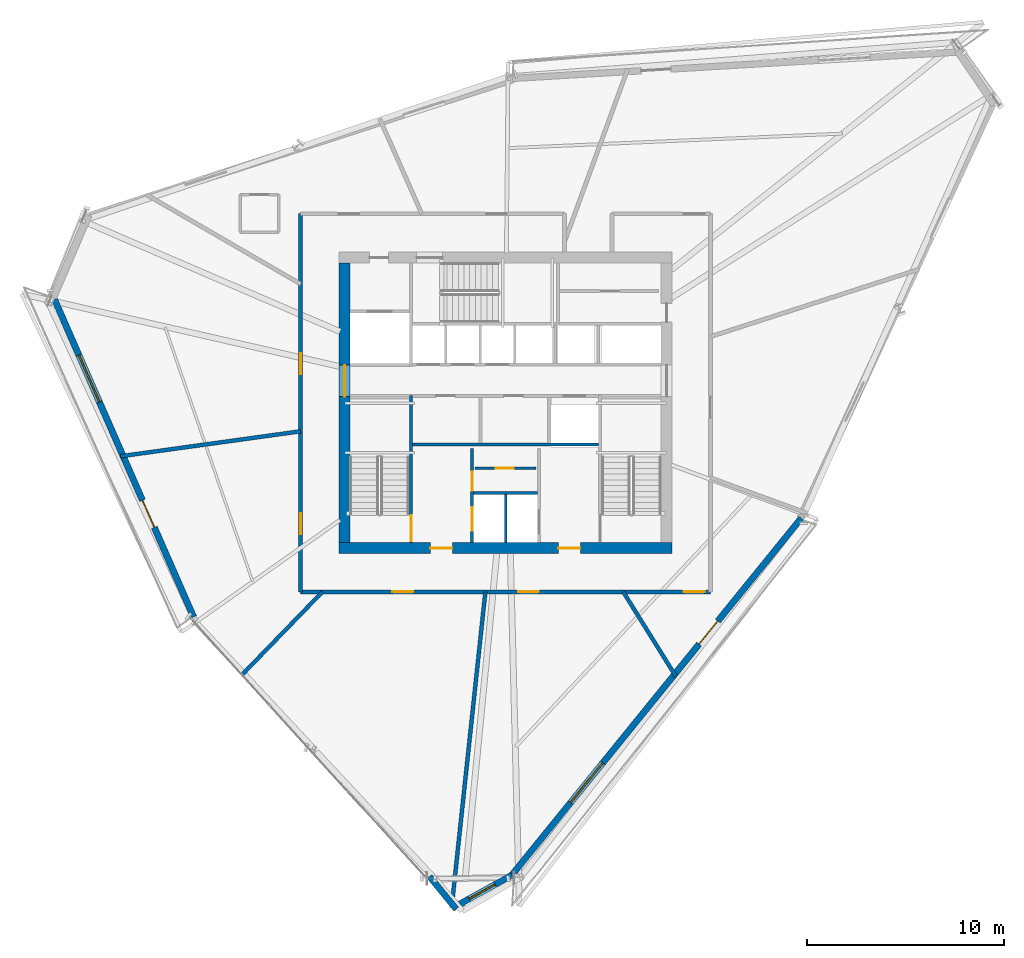
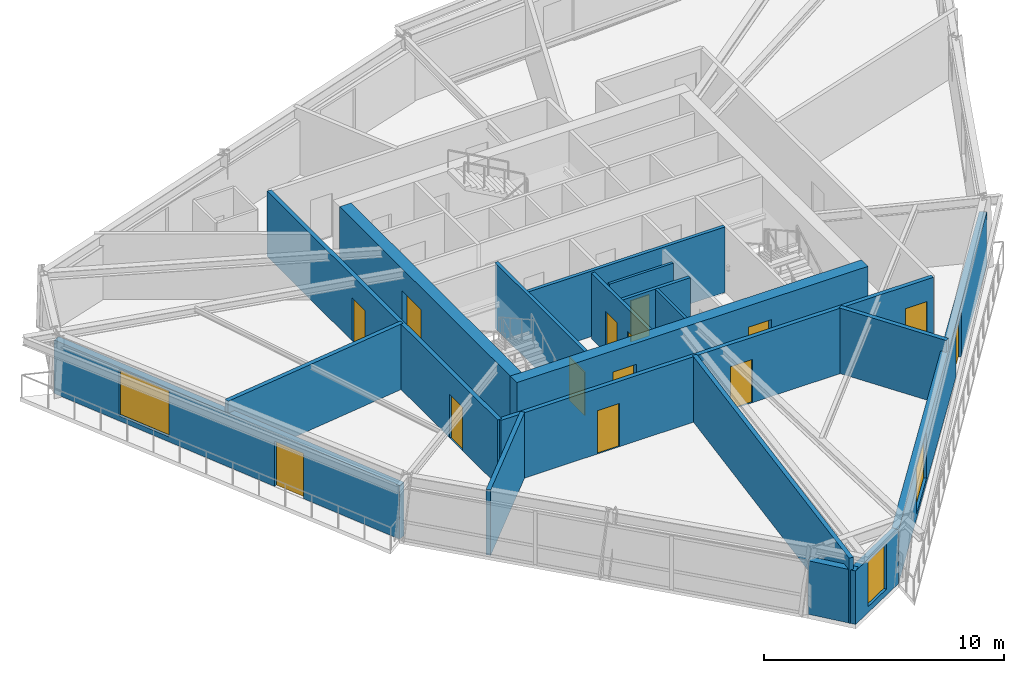
# One storey, part 8 of 13: 18 walls, 14 doors, 3 windows, 17 openings.
"""IFC4 building model written with IfcOpenShell, lengths in metres."""

from ifc_helpers import new_model, si_unit, direction, frame, frame_2d, origin, place, context, subcontext, project, spatial, rectangle, extrude, source, transform, mapped, material, layer, layer_set, type_object, type_shapes, element, fill, save


model = new_model("IFC4")

# Units and contexts
model_context = context("Model", 3, precision=1e-05, world=origin(), true_north=direction((0.0, 1.0)))
body_context = subcontext(model_context, "Body", "Model", "MODEL_VIEW")
ifc_project = project(units=[si_unit("LENGTHUNIT", "METRE"), si_unit("AREAUNIT", "SQUARE_METRE"), si_unit("VOLUMEUNIT", "CUBIC_METRE"), si_unit("PLANEANGLEUNIT", "RADIAN"), si_unit("MASSUNIT", "GRAM", prefix="KILO")], contexts=[model_context])

# Site, building, storey
site_placement = place(None, origin())
site = spatial("IfcSite", under=ifc_project, at=site_placement, CompositionType="ELEMENT")
building_placement = place(site_placement, origin())
building = spatial("IfcBuilding", under=site, at=building_placement, Name="Olszyna Solenne Hotel", CompositionType="ELEMENT")
storey_placement = place(building_placement, frame((0.0, 0.0, 175.0)))
storey = spatial("IfcBuildingStorey", under=building, at=storey_placement, Name="L46", CompositionType="ELEMENT", Elevation=175.0)

# Wall, openings, doors
ifc_material_1 = material(Name="Concrete C50/60", Category="concrete")
ifc_layer_1 = layer(ifc_material_1, 0.550048828125, Name="Concrete C50/60")
ifc_layer_set_1 = layer_set([ifc_layer_1], Name="Concrete C50/60")
wall_type_1 = type_object("IfcWallType", Name="WL-CR550", PredefinedType="SHEAR", material=ifc_layer_set_1)
wall_1_placement = place(storey_placement, frame((46.449951171875, 19.22509765625, 0.0), z_axis=(0.0, 0.0, 1.0), x_axis=(-1.0, 0.0, 0.0)))
wall_1 = element("IfcWall", 1, at=wall_1_placement, inside=storey, type_object=wall_type_1, Name="Core shear wall WL-CR550 CRW-L46-S", PredefinedType="SHEAR", context=body_context, shape_type="SweptSolid", body=[
    extrude(rectangle(XDim=16.89990234375, YDim=0.550048828125, at=frame_2d((8.449951171875, 0.0))), origin(), (0.0, 0.0, 1.0), 3.330078125),
])
opening_1_placement = place(wall_1_placement, frame((4.64990234375, 0.0, 0.0)))
opening_1 = element("IfcOpeningElement", 2, at=opening_1_placement, cuts=wall_1, Name="Opening FL-L46-1", PredefinedType="OPENING", context=body_context, shape_type="SweptSolid", body=[
    extrude(rectangle(XDim=1.1201171875, YDim=2.25, at=frame_2d((0.56005859375, 1.125))), frame((0.0, 0.28515625, 0.0), z_axis=(0.0, -1.0, 0.0), x_axis=(1.0, 0.0, 0.0)), (0.0, 0.0, 1.0), 0.570068359375),
])
opening_2_placement = place(wall_1_placement, frame((11.14990234375, 0.0, 0.0)))
opening_2 = element("IfcOpeningElement", 3, at=opening_2_placement, cuts=wall_1, Name="Opening FL-L46-2", PredefinedType="OPENING", context=body_context, shape_type="SweptSolid", body=[
    extrude(rectangle(XDim=1.1201171875, YDim=2.25, at=frame_2d((0.56005859375, 1.125))), frame((0.0, 0.28515625, 0.0), z_axis=(0.0, -1.0, 0.0), x_axis=(1.0, 0.0, 0.0)), (0.0, 0.0, 1.0), 0.570068359375),
])
ifc_material_2 = material(Name="Steel S355J2", Category="steel")
door_type_1 = type_object("IfcDoorType", Name="DR-FL1", OperationType="NOTDEFINED", PredefinedType="DOOR", material=ifc_material_2)
shared_shape_1 = source(origin(), body_context, "Body", "SweptSolid", [
    extrude(rectangle(XDim=1.1201171875, YDim=2.25, at=frame_2d((0.56005859375, 1.125))), frame((0.0, 0.02490234375, 0.0), z_axis=(0.0, -1.0, 0.0), x_axis=(1.0, 0.0, 0.0)), (0.0, 0.0, 1.0), 0.050048828125),
])
type_shapes(door_type_1, [shared_shape_1])
door_1_placement = place(opening_1_placement, origin())
door_1 = element("IfcDoor", 4, at=door_1_placement, inside=storey, type_object=door_type_1, Name="Firefighting lift lobby smoke door FL-L46-1", OperationType="SINGLE_SWING_LEFT", OverallHeight=2.25, OverallWidth=1.1201171875, PredefinedType="DOOR", context=body_context, shape_type="MappedRepresentation", body=[
    mapped(shared_shape_1, transform((0.0, 0.0, 0.0), x_axis=(1.0, 0.0, 0.0), y_axis=(0.0, 1.0, 0.0), z_axis=(0.0, 0.0, 1.0), scale=1.0)),
])
fill(opening_1, door_1)
door_2_placement = place(opening_2_placement, origin())
door_2 = element("IfcDoor", 5, at=door_2_placement, inside=storey, type_object=door_type_1, Name="Firefighting lift lobby smoke door FL-L46-2", OperationType="SINGLE_SWING_RIGHT", OverallHeight=2.25, OverallWidth=1.1201171875, PredefinedType="DOOR", context=body_context, shape_type="MappedRepresentation", body=[
    mapped(shared_shape_1, transform((0.0, 0.0, 0.0), x_axis=(1.0, 0.0, 0.0), y_axis=(0.0, 1.0, 0.0), z_axis=(0.0, 0.0, 1.0), scale=1.0)),
])
fill(opening_2, door_2)

# Wall, opening, door
wall_2_placement = place(storey_placement, frame((29.824951171875, 19.5, 0.0), z_axis=(0.0, 0.0, 1.0), x_axis=(0.0, 1.0, 0.0)))
wall_2 = element("IfcWall", 6, at=wall_2_placement, inside=storey, type_object=wall_type_1, Name="Core shear wall WL-CR550 CRW-L46-W", PredefinedType="SHEAR", context=body_context, shape_type="SweptSolid", body=[
    extrude(rectangle(XDim=14.199951171875, YDim=0.550048828125, at=frame_2d((7.10009765625, 0.0))), origin(), (0.0, 0.0, 1.0), 3.330078125),
])
opening_3_placement = place(wall_2_placement, frame((7.419921875, 0.0, 0.0)))
opening_3 = element("IfcOpeningElement", 7, at=opening_3_placement, cuts=wall_2, Name="Opening LHD-L46-W", PredefinedType="OPENING", context=body_context, shape_type="SweptSolid", body=[
    extrude(rectangle(XDim=1.60009765625, YDim=2.199951171875, at=frame_2d((0.800048828125, 1.10009765625))), frame((0.0, 0.28515625, 0.0), z_axis=(0.0, -1.0, 0.0), x_axis=(1.0, 0.0, 0.0)), (0.0, 0.0, 1.0), 0.570068359375),
])
ifc_material_3 = material(Name="Timber hardwood", Category="wood")
door_type_2 = type_object("IfcDoorType", Name="DR-CR1", OperationType="DOUBLE_DOOR_SINGLE_SWING", PredefinedType="DOOR", material=ifc_material_3)
shared_shape_2 = source(origin(), body_context, "Body", "SweptSolid", [
    extrude(rectangle(XDim=1.60009765625, YDim=2.199951171875, at=frame_2d((0.800048828125, 1.10009765625))), frame((0.0, 0.02490234375, 0.0), z_axis=(0.0, -1.0, 0.0), x_axis=(1.0, 0.0, 0.0)), (0.0, 0.0, 1.0), 0.050048828125),
])
type_shapes(door_type_2, [shared_shape_2])
door_3_placement = place(opening_3_placement, origin())
door_3 = element("IfcDoor", 8, at=door_3_placement, inside=storey, type_object=door_type_2, Name="Passenger lift lobby West fire door LHD-L46-W", OperationType="DOUBLE_DOOR_SINGLE_SWING", OverallHeight=2.199951171875, OverallWidth=1.60009765625, PredefinedType="DOOR", context=body_context, shape_type="MappedRepresentation", body=[
    mapped(shared_shape_2, transform((0.0, 0.0, 0.0), x_axis=(1.0, 0.0, 0.0), y_axis=(0.0, 1.0, 0.0), z_axis=(0.0, 0.0, 1.0), scale=1.0)),
])
fill(opening_3, door_3)

# Wall, openings, door, window
ifc_material_4 = material(Name="Precast concrete C45/55", Category="concrete")
ifc_layer_2 = layer(ifc_material_4, 0.320068359375, Name="Precast concrete C45/55")
ifc_layer_set_2 = layer_set([ifc_layer_2], Name="Precast concrete C45/55")
wall_type_2 = type_object("IfcWallType", Name="WL-EX320", PredefinedType="SOLIDWALL", material=ifc_layer_set_2)
wall_3_placement = place(storey_placement, frame((53.010498046875, 20.74755859375, 0.0), z_axis=(0.0, 0.0, 1.0), x_axis=(-0.629806386055, -0.776752158725, 0.0)))
wall_3 = element("IfcWall", 9, at=wall_3_placement, inside=storey, type_object=wall_type_2, Name="Exterior terracotta-precast frame wall WL-EX320 EW-L46-01", PredefinedType="SOLIDWALL", context=body_context, shape_type="SweptSolid", body=[
    extrude(rectangle(XDim=23.3779296875, YDim=0.320068359375, at=frame_2d((11.68896484375, 0.0))), origin(), (0.0, 0.0, 1.0), 2.721923828125),
])
opening_4_placement = place(wall_3_placement, frame((6.73095703125, 0.0, 0.0)))
opening_4 = element("IfcOpeningElement", 10, at=opening_4_placement, cuts=wall_3, Name="Opening LDG-L46-3", PredefinedType="OPENING", context=body_context, shape_type="SweptSolid", body=[
    extrude(rectangle(XDim=1.5, YDim=2.300048828125, at=frame_2d((0.75, 1.14990234375))), frame((0.0, 0.169921875, 0.0), z_axis=(0.0, -1.0, 0.0), x_axis=(1.0, 0.0, 0.0)), (0.0, 0.0, 1.0), 0.340087890625),
])
opening_5_placement = place(wall_3_placement, frame((16.0, 0.0, 0.251953125)))
opening_5 = element("IfcOpeningElement", 11, at=opening_5_placement, cuts=wall_3, Name="Opening WN-L46-285", PredefinedType="OPENING", context=body_context, shape_type="SweptSolid", body=[
    extrude(rectangle(XDim=2.60009765625, YDim=2.35009765625, at=frame_2d((1.300048828125, 1.175048828125))), frame((0.0, 0.169921875, 0.0), z_axis=(0.0, -1.0, 0.0), x_axis=(1.0, 0.0, 0.0)), (0.0, 0.0, 1.0), 0.340087890625),
])
ifc_material_5 = material(Name="Anodised bronze aluminium", Category="aluminium")
door_type_3 = type_object("IfcDoorType", Name="DR-LG2", OperationType="DOUBLE_DOOR_SINGLE_SWING", PredefinedType="DOOR", material=ifc_material_5)
shared_shape_3 = source(origin(), body_context, "Body", "SweptSolid", [
    extrude(rectangle(XDim=1.5, YDim=2.300048828125, at=frame_2d((0.75, 1.14990234375))), frame((0.0, 0.02490234375, 0.0), z_axis=(0.0, -1.0, 0.0), x_axis=(1.0, 0.0, 0.0)), (0.0, 0.0, 1.0), 0.050048828125),
])
type_shapes(door_type_3, [shared_shape_3])
door_4_placement = place(opening_4_placement, origin())
door_4 = element("IfcDoor", 12, at=door_4_placement, inside=storey, type_object=door_type_3, Name="Exterior loggia balcony door DR-LG2 LDG-L46-3", OperationType="DOUBLE_DOOR_SINGLE_SWING", OverallHeight=2.300048828125, OverallWidth=1.5, PredefinedType="DOOR", context=body_context, shape_type="MappedRepresentation", body=[
    mapped(shared_shape_3, transform((0.0, 0.0, 0.0), x_axis=(1.0, 0.0, 0.0), y_axis=(0.0, 1.0, 0.0), z_axis=(0.0, 0.0, 1.0), scale=1.0)),
])
fill(opening_4, door_4)
ifc_material_6 = material(Name="Low-E triple glazing", Category="glass")
window_type_1 = type_object("IfcWindowType", Name="WN-ST1", PartitioningType="SINGLE_PANEL", PredefinedType="WINDOW", material=ifc_material_6)
shared_shape_4 = source(origin(), body_context, "Body", "SweptSolid", [
    extrude(rectangle(XDim=2.60009765625, YDim=2.35009765625, at=frame_2d((1.300048828125, 1.175048828125))), frame((0.0, 0.030029296875, 0.0), z_axis=(0.0, -1.0, 0.0), x_axis=(1.0, 0.0, 0.0)), (0.0, 0.0, 1.0), 0.06005859375),
])
type_shapes(window_type_1, [shared_shape_4])
window_1_placement = place(opening_5_placement, origin())
window_1 = element("IfcWindow", 13, at=window_1_placement, inside=storey, type_object=window_type_1, Name="Loggia room window WN-ST1 WN-L46-285", OverallHeight=2.35009765625, OverallWidth=2.60009765625, PartitioningType="SINGLE_PANEL", PredefinedType="WINDOW", context=body_context, shape_type="MappedRepresentation", body=[
    mapped(shared_shape_4, transform((0.0, 0.0, 0.0), x_axis=(1.0, 0.0, 0.0), y_axis=(0.0, 1.0, 0.0), z_axis=(0.0, 0.0, 1.0), scale=1.0)),
])
fill(opening_5, window_1)

# Wall, opening, window
wall_4_placement = place(storey_placement, frame((38.33349609375, 2.627685546875, 0.0), z_axis=(0.0, 0.0, 1.0), x_axis=(-0.874431894113, -0.485148289246, 0.0)))
wall_4 = element("IfcWall", 14, at=wall_4_placement, inside=storey, type_object=wall_type_2, Name="Exterior terracotta-precast frame wall WL-EX320 EW-L46-02", PredefinedType="SOLIDWALL", context=body_context, shape_type="SweptSolid", body=[
    extrude(rectangle(XDim=3.478759765625, YDim=0.320068359375, at=frame_2d((1.7392578125, 0.0))), origin(), (0.0, 0.0, 1.0), 2.721923828125),
])
opening_6_placement = place(wall_4_placement, frame((0.989013671875, 0.0, 0.302001953125)))
opening_6 = element("IfcOpeningElement", 15, at=opening_6_placement, cuts=wall_4, Name="Opening WN-L46-286", PredefinedType="OPENING", context=body_context, shape_type="SweptSolid", body=[
    extrude(rectangle(XDim=1.5, YDim=2.300048828125, at=frame_2d((0.75, 1.14990234375))), frame((0.0, 0.169921875, 0.0), z_axis=(0.0, -1.0, 0.0), x_axis=(1.0, 0.0, 0.0)), (0.0, 0.0, 1.0), 0.340087890625),
])
window_type_2 = type_object("IfcWindowType", Name="WN-CH1", PartitioningType="SINGLE_PANEL", PredefinedType="WINDOW", material=ifc_material_6)
shared_shape_5 = source(origin(), body_context, "Body", "SweptSolid", [
    extrude(rectangle(XDim=1.5, YDim=2.300048828125, at=frame_2d((0.75, 1.14990234375))), frame((0.0, 0.030029296875, 0.0), z_axis=(0.0, -1.0, 0.0), x_axis=(1.0, 0.0, 0.0)), (0.0, 0.0, 1.0), 0.06005859375),
])
type_shapes(window_type_2, [shared_shape_5])
window_2_placement = place(opening_6_placement, origin())
window_2 = element("IfcWindow", 16, at=window_2_placement, inside=storey, type_object=window_type_2, Name="Exterior facade window WN-CH1 WN-L46-286", OverallHeight=2.300048828125, OverallWidth=1.5, PartitioningType="SINGLE_PANEL", PredefinedType="WINDOW", context=body_context, shape_type="MappedRepresentation", body=[
    mapped(shared_shape_5, transform((0.0, 0.0, 0.0), x_axis=(1.0, 0.0, 0.0), y_axis=(0.0, 1.0, 0.0), z_axis=(0.0, 0.0, 1.0), scale=1.0)),
])
fill(opening_6, window_2)

# Wall
wall_5_placement = place(storey_placement, frame((35.492919921875, 0.9013671875, 0.0), z_axis=(0.0, 0.0, 1.0), x_axis=(-0.633742690668, 0.773543923785, 0.0)))
element("IfcWall", 17, at=wall_5_placement, inside=storey, type_object=wall_type_2, Name="Exterior terracotta-precast frame wall WL-EX320 EW-L46-03", PredefinedType="SOLIDWALL", context=body_context, shape_type="SweptSolid", body=[
    extrude(rectangle(XDim=2.13232421875, YDim=0.320068359375, at=frame_2d((1.066162109375, 0.0))), origin(), (0.0, 0.0, 1.0), 2.721923828125),
])

# Wall, openings, door, window
wall_6_placement = place(storey_placement, frame((22.1611328125, 15.72998046875, 0.0), z_axis=(0.0, 0.0, 1.0), x_axis=(-0.401254224354, 0.915966728347, 0.0)))
wall_6 = element("IfcWall", 18, at=wall_6_placement, inside=storey, type_object=wall_type_2, Name="Exterior terracotta-precast frame wall WL-EX320 EW-L46-05", PredefinedType="SOLIDWALL", context=body_context, shape_type="SweptSolid", body=[
    extrude(rectangle(XDim=17.853515625, YDim=0.320068359375, at=frame_2d((8.9267578125, 0.0))), origin(), (0.0, 0.0, 1.0), 2.721923828125),
])
opening_7_placement = place(wall_6_placement, frame((4.962890625, 0.0, 0.0)))
opening_7 = element("IfcOpeningElement", 19, at=opening_7_placement, cuts=wall_6, Name="Opening LDG-L46-2", PredefinedType="OPENING", context=body_context, shape_type="SweptSolid", body=[
    extrude(rectangle(XDim=1.5, YDim=2.300048828125, at=frame_2d((0.75, 1.14990234375))), frame((0.0, 0.169921875, 0.0), z_axis=(0.0, -1.0, 0.0), x_axis=(1.0, 0.0, 0.0)), (0.0, 0.0, 1.0), 0.340087890625),
])
opening_8_placement = place(wall_6_placement, frame((11.912109375, 0.0, 0.251953125)))
opening_8 = element("IfcOpeningElement", 20, at=opening_8_placement, cuts=wall_6, Name="Opening WN-L46-287", PredefinedType="OPENING", context=body_context, shape_type="SweptSolid", body=[
    extrude(rectangle(XDim=2.60009765625, YDim=2.35009765625, at=frame_2d((1.300048828125, 1.175048828125))), frame((0.0, 0.169921875, 0.0), z_axis=(0.0, -1.0, 0.0), x_axis=(1.0, 0.0, 0.0)), (0.0, 0.0, 1.0), 0.340087890625),
])
door_5_placement = place(opening_7_placement, origin())
door_5 = element("IfcDoor", 21, at=door_5_placement, inside=storey, type_object=door_type_3, Name="Exterior loggia balcony door DR-LG2 LDG-L46-2", OperationType="DOUBLE_DOOR_SINGLE_SWING", OverallHeight=2.300048828125, OverallWidth=1.5, PredefinedType="DOOR", context=body_context, shape_type="MappedRepresentation", body=[
    mapped(shared_shape_3, transform((0.0, 0.0, 0.0), x_axis=(1.0, 0.0, 0.0), y_axis=(0.0, 1.0, 0.0), z_axis=(0.0, 0.0, 1.0), scale=1.0)),
])
fill(opening_7, door_5)
window_3_placement = place(opening_8_placement, origin())
window_3 = element("IfcWindow", 22, at=window_3_placement, inside=storey, type_object=window_type_1, Name="Loggia room window WN-ST1 WN-L46-287", OverallHeight=2.35009765625, OverallWidth=2.60009765625, PartitioningType="SINGLE_PANEL", PredefinedType="WINDOW", context=body_context, shape_type="MappedRepresentation", body=[
    mapped(shared_shape_4, transform((0.0, 0.0, 0.0), x_axis=(1.0, 0.0, 0.0), y_axis=(0.0, 1.0, 0.0), z_axis=(0.0, 0.0, 1.0), scale=1.0)),
])
fill(opening_8, window_3)

# Wall
ifc_material_7 = material(Name="Acoustic gypsum partition", Category="gypsum")
ifc_layer_3 = layer(ifc_material_7, 0.125, Name="Acoustic gypsum partition")
ifc_layer_set_3 = layer_set([ifc_layer_3], Name="Acoustic gypsum partition")
wall_type_3 = type_object("IfcWallType", Name="WL-PT125", PredefinedType="PARTITIONING", material=ifc_layer_set_3)
wall_7_placement = place(storey_placement, frame((38.0, 19.5, 0.0), z_axis=(0.0, 0.0, 1.0), x_axis=(0.0, 1.0, 0.0)))
element("IfcWall", 23, at=wall_7_placement, inside=storey, type_object=wall_type_3, Name="Core shaft compartment wall CW-L46-FFM", PredefinedType="PARTITIONING", context=body_context, shape_type="SweptSolid", body=[
    extrude(rectangle(XDim=2.4599609375, YDim=0.125, at=frame_2d((1.22998046875, 0.0))), origin(), (0.0, 0.0, 1.0), 3.330078125),
])

# Wall, opening, door
wall_8_placement = place(storey_placement, frame((36.4599609375, 23.27001953125, 0.0), z_axis=(0.0, 0.0, 1.0), x_axis=(1.0, 0.0, 0.0)))
wall_8 = element("IfcWall", 24, at=wall_8_placement, inside=storey, type_object=wall_type_3, Name="Core shaft compartment wall CW-L46-SC2", PredefinedType="PARTITIONING", context=body_context, shape_type="SweptSolid", body=[
    extrude(rectangle(XDim=3.080078125, YDim=0.125, at=frame_2d((1.5400390625, 0.0))), origin(), (0.0, 0.0, 1.0), 3.330078125),
])
opening_9_placement = place(wall_8_placement, frame((1.050048828125, 0.0, 0.0)))
opening_9 = element("IfcOpeningElement", 25, at=opening_9_placement, cuts=wall_8, Name="Opening SVD-L46-SC2", PredefinedType="OPENING", context=body_context, shape_type="SweptSolid", body=[
    extrude(rectangle(XDim=0.89990234375, YDim=2.10009765625, at=frame_2d((0.449951171875, 1.050048828125))), frame((0.0, 0.072509765625, 0.0), z_axis=(0.0, -1.0, 0.0), x_axis=(1.0, 0.0, 0.0)), (0.0, 0.0, 1.0), 0.14501953125),
])
door_type_4 = type_object("IfcDoorType", Name="DR-WC1", OperationType="NOTDEFINED", PredefinedType="DOOR", material=ifc_material_3)
shared_shape_6 = source(origin(), body_context, "Body", "SweptSolid", [
    extrude(rectangle(XDim=0.89990234375, YDim=2.10009765625, at=frame_2d((0.449951171875, 1.050048828125))), frame((0.0, 0.02490234375, 0.0), z_axis=(0.0, -1.0, 0.0), x_axis=(1.0, 0.0, 0.0)), (0.0, 0.0, 1.0), 0.050048828125),
])
type_shapes(door_type_4, [shared_shape_6])
door_6_placement = place(opening_9_placement, origin())
door_6 = element("IfcDoor", 26, at=door_6_placement, inside=storey, type_object=door_type_4, Name="Butler pantry door SVD-L46-SC2", OperationType="SINGLE_SWING_RIGHT", OverallHeight=2.10009765625, OverallWidth=0.89990234375, PredefinedType="DOOR", context=body_context, shape_type="MappedRepresentation", body=[
    mapped(shared_shape_6, transform((0.0, 0.0, 0.0), x_axis=(1.0, 0.0, 0.0), y_axis=(0.0, 1.0, 0.0), z_axis=(0.0, 0.0, 1.0), scale=1.0)),
])
fill(opening_9, door_6)

ifc_layer_4 = layer(ifc_material_7, 0.159912109375, Name="Acoustic gypsum partition")
ifc_layer_set_4 = layer_set([ifc_layer_4], Name="Acoustic gypsum partition")
wall_type_4 = type_object("IfcWallType", Name="WL-PT160", PredefinedType="PARTITIONING", material=ifc_layer_set_4)
wall_9_placement = place(storey_placement, frame((33.199951171875, 19.5, 0.0), z_axis=(0.0, 0.0, 1.0), x_axis=(0.0, 1.0, 0.0)))
wall_9 = element("IfcWall", 27, at=wall_9_placement, inside=storey, type_object=wall_type_4, Name="Core shaft compartment wall CW-L46-ST1E", PredefinedType="PARTITIONING", context=body_context, shape_type="SweptSolid", body=[
    extrude(rectangle(XDim=7.4599609375, YDim=0.159912109375, at=frame_2d((3.72998046875, 0.0))), origin(), (0.0, 0.0, 1.0), 3.330078125),
])
opening_10_placement = place(wall_9_placement, frame((0.080078125, 0.0, 0.0)))
opening_10 = element("IfcOpeningElement", 28, at=opening_10_placement, cuts=wall_9, Name="Opening STD-L46-01", PredefinedType="OPENING", context=body_context, shape_type="SweptSolid", body=[
    extrude(rectangle(XDim=1.320068359375, YDim=2.199951171875, at=frame_2d((0.66015625, 1.10009765625))), frame((0.0, 0.08984375, 0.0), z_axis=(0.0, -1.0, 0.0), x_axis=(1.0, 0.0, 0.0)), (0.0, 0.0, 1.0), 0.179931640625),
])
door_type_5 = type_object("IfcDoorType", Name="DR-ST1", OperationType="NOTDEFINED", PredefinedType="DOOR", material=ifc_material_2)
shared_shape_7 = source(origin(), body_context, "Body", "SweptSolid", [
    extrude(rectangle(XDim=1.320068359375, YDim=2.199951171875, at=frame_2d((0.66015625, 1.10009765625))), frame((0.0, 0.02490234375, 0.0), z_axis=(0.0, -1.0, 0.0), x_axis=(1.0, 0.0, 0.0)), (0.0, 0.0, 1.0), 0.050048828125),
])
type_shapes(door_type_5, [shared_shape_7])
door_7_placement = place(opening_10_placement, origin())
door_7 = element("IfcDoor", 29, at=door_7_placement, inside=storey, type_object=door_type_5, Name="Pressurised exit stair ST1 fire door STD-L46-01", OperationType="SINGLE_SWING_LEFT", OverallHeight=2.199951171875, OverallWidth=1.320068359375, PredefinedType="DOOR", context=body_context, shape_type="MappedRepresentation", body=[
    mapped(shared_shape_7, transform((0.0, 0.0, 0.0), x_axis=(1.0, 0.0, 0.0), y_axis=(0.0, 1.0, 0.0), z_axis=(0.0, 0.0, 1.0), scale=1.0)),
])
fill(opening_10, door_7)

# Wall, openings, doors
wall_10_placement = place(storey_placement, frame((36.300048828125, 19.5, 0.0), z_axis=(0.0, 0.0, 1.0), x_axis=(0.0, 1.0, 0.0)))
wall_10 = element("IfcWall", 30, at=wall_10_placement, inside=storey, type_object=wall_type_4, Name="Core shaft compartment wall CW-L46-FF1W", PredefinedType="PARTITIONING", context=body_context, shape_type="SweptSolid", body=[
    extrude(rectangle(XDim=4.780029296875, YDim=0.159912109375, at=frame_2d((2.39013671875, 0.0))), origin(), (0.0, 0.0, 1.0), 3.330078125),
])
opening_11_placement = place(wall_10_placement, frame((0.60009765625, 0.0, 0.0)))
opening_11 = element("IfcOpeningElement", 31, at=opening_11_placement, cuts=wall_10, Name="Opening LD-L46-FF1", PredefinedType="OPENING", context=body_context, shape_type="SweptSolid", body=[
    extrude(rectangle(XDim=1.199951171875, YDim=2.199951171875, at=frame_2d((0.60009765625, 1.10009765625))), frame((0.0, 0.08984375, 0.0), z_axis=(0.0, -1.0, 0.0), x_axis=(1.0, 0.0, 0.0)), (0.0, 0.0, 1.0), 0.179931640625),
])
opening_12_placement = place(wall_10_placement, frame((2.64990234375, 0.0, 0.0)))
opening_12 = element("IfcOpeningElement", 32, at=opening_12_placement, cuts=wall_10, Name="Opening SVD-L46-SMK", PredefinedType="OPENING", context=body_context, shape_type="SweptSolid", body=[
    extrude(rectangle(XDim=0.949951171875, YDim=2.10009765625, at=frame_2d((0.47509765625, 1.050048828125))), frame((0.0, 0.08984375, 0.0), z_axis=(0.0, -1.0, 0.0), x_axis=(1.0, 0.0, 0.0)), (0.0, 0.0, 1.0), 0.179931640625),
])
door_type_6 = type_object("IfcDoorType", Name="DR-SV1", OperationType="NOTDEFINED", PredefinedType="DOOR", material=ifc_material_2)
shared_shape_8 = source(origin(), body_context, "Body", "SweptSolid", [
    extrude(rectangle(XDim=0.949951171875, YDim=2.10009765625, at=frame_2d((0.47509765625, 1.050048828125))), frame((0.0, 0.02490234375, 0.0), z_axis=(0.0, -1.0, 0.0), x_axis=(1.0, 0.0, 0.0)), (0.0, 0.0, 1.0), 0.050048828125),
])
type_shapes(door_type_6, [shared_shape_8])
door_8_placement = place(opening_12_placement, origin())
door_8 = element("IfcDoor", 33, at=door_8_placement, inside=storey, type_object=door_type_6, Name="Valet and core service room door SVD-L46-SMK", OperationType="SINGLE_SWING_LEFT", OverallHeight=2.10009765625, OverallWidth=0.949951171875, PredefinedType="DOOR", context=body_context, shape_type="MappedRepresentation", body=[
    mapped(shared_shape_8, transform((0.0, 0.0, 0.0), x_axis=(1.0, 0.0, 0.0), y_axis=(0.0, 1.0, 0.0), z_axis=(0.0, 0.0, 1.0), scale=1.0)),
])
fill(opening_12, door_8)
door_type_7 = type_object("IfcDoorType", Name="LD-FF1", OperationType="DOUBLE_DOOR_SLIDING", PredefinedType="DOOR", material=ifc_material_2)
shared_shape_9 = source(origin(), body_context, "Body", "SweptSolid", [
    extrude(rectangle(XDim=1.199951171875, YDim=2.199951171875, at=frame_2d((0.60009765625, 1.10009765625))), frame((0.0, 0.02490234375, 0.0), z_axis=(0.0, -1.0, 0.0), x_axis=(1.0, 0.0, 0.0)), (0.0, 0.0, 1.0), 0.050048828125),
])
type_shapes(door_type_7, [shared_shape_9])
door_9_placement = place(opening_11_placement, origin())
door_9 = element("IfcDoor", 34, at=door_9_placement, inside=storey, type_object=door_type_7, Name="Firefighters lift FF1 sliding landing door LD-L46-FF1", OperationType="DOUBLE_DOOR_SLIDING", OverallHeight=2.199951171875, OverallWidth=1.199951171875, PredefinedType="DOOR", context=body_context, shape_type="MappedRepresentation", body=[
    mapped(shared_shape_9, transform((0.0, 0.0, 0.0), x_axis=(1.0, 0.0, 0.0), y_axis=(0.0, 1.0, 0.0), z_axis=(0.0, 0.0, 1.0), scale=1.0)),
])
fill(opening_11, door_9)

# Walls
wall_11_placement = place(storey_placement, frame((36.3798828125, 22.02001953125, 0.0), z_axis=(0.0, 0.0, 1.0), x_axis=(1.0, 0.0, 0.0)))
element("IfcWall", 35, at=wall_11_placement, inside=storey, type_object=wall_type_4, Name="Core shaft compartment wall CW-L46-FFN", PredefinedType="PARTITIONING", context=body_context, shape_type="SweptSolid", body=[
    extrude(rectangle(XDim=3.240234375, YDim=0.159912109375, at=frame_2d((1.6201171875, 0.0))), origin(), (0.0, 0.0, 1.0), 3.330078125),
])
wall_12_placement = place(storey_placement, frame((33.280029296875, 24.489990234375, 0.0), z_axis=(0.0, 0.0, 1.0), x_axis=(1.0, 0.0, 0.0)))
element("IfcWall", 36, at=wall_12_placement, inside=storey, type_object=wall_type_4, Name="Core shaft compartment wall CW-L46-FFBN", PredefinedType="PARTITIONING", context=body_context, shape_type="SweptSolid", body=[
    extrude(rectangle(XDim=9.43994140625, YDim=0.159912109375, at=frame_2d((4.719970703125, 0.0))), origin(), (0.0, 0.0, 1.0), 3.330078125),
])
ifc_layer_5 = layer(ifc_material_7, 0.199951171875, Name="Acoustic gypsum partition")
ifc_layer_set_5 = layer_set([ifc_layer_5], Name="Acoustic gypsum partition")
wall_type_5 = type_object("IfcWallType", Name="WL-PT200", PredefinedType="PARTITIONING", material=ifc_layer_set_5)
wall_13_placement = place(storey_placement, frame((27.60009765625, 25.156982421875, 0.0), z_axis=(0.0, 0.0, 1.0), x_axis=(-0.990508964045, -0.137448143484, 0.0)))
element("IfcWall", 37, at=wall_13_placement, inside=storey, type_object=wall_type_5, Name="Interior acoustic partition WL-PT200 PW-L46-2567", PredefinedType="PARTITIONING", context=body_context, shape_type="SweptSolid", body=[
    extrude(rectangle(XDim=9.24169921875, YDim=0.199951171875, at=frame_2d((4.620849609375, 0.0))), origin(), (0.0, 0.0, 1.0), 3.330078125),
])
wall_14_placement = place(storey_placement, frame((28.697021484375, 17.0, 0.0), z_axis=(0.0, 0.0, 1.0), x_axis=(-0.695914109274, -0.718125025684, 0.0)))
element("IfcWall", 38, at=wall_14_placement, inside=storey, type_object=wall_type_5, Name="Interior acoustic partition WL-PT200 PW-L46-2568", PredefinedType="PARTITIONING", context=body_context, shape_type="SweptSolid", body=[
    extrude(rectangle(XDim=5.82568359375, YDim=0.199951171875, at=frame_2d((2.912841796875, 0.0))), origin(), (0.0, 0.0, 1.0), 3.330078125),
])
wall_15_placement = place(storey_placement, frame((36.97412109375, 17.0, 0.0), z_axis=(0.0, 0.0, 1.0), x_axis=(-0.106274717856, -0.994336806291, 0.0)))
element("IfcWall", 39, at=wall_15_placement, inside=storey, type_object=wall_type_5, Name="Interior acoustic partition WL-PT200 PW-L46-2569", PredefinedType="PARTITIONING", context=body_context, shape_type="SweptSolid", body=[
    extrude(rectangle(XDim=16.113037109375, YDim=0.199951171875, at=frame_2d((8.056640625, 0.0))), origin(), (0.0, 0.0, 1.0), 3.330078125),
])
wall_16_placement = place(storey_placement, frame((43.9755859375, 17.0, 0.0), z_axis=(0.0, 0.0, 1.0), x_axis=(0.528425417739, -0.848979727607, 0.0)))
element("IfcWall", 40, at=wall_16_placement, inside=storey, type_object=wall_type_5, Name="Interior acoustic partition WL-PT200 PW-L46-2570", PredefinedType="PARTITIONING", context=body_context, shape_type="SweptSolid", body=[
    extrude(rectangle(XDim=5.0654296875, YDim=0.199951171875, at=frame_2d((2.53271484375, 0.0))), origin(), (0.0, 0.0, 1.0), 3.330078125),
])

# Wall, openings, doors
wall_17_placement = place(storey_placement, frame((27.60009765625, 17.0, 0.0), z_axis=(0.0, 0.0, 1.0), x_axis=(1.0, 0.0, 0.0)))
wall_17 = element("IfcWall", 41, at=wall_17_placement, inside=storey, type_object=wall_type_5, Name="Interior acoustic partition WL-PT200 PW-L46-2579", PredefinedType="PARTITIONING", context=body_context, shape_type="SweptSolid", body=[
    extrude(rectangle(XDim=20.7998046875, YDim=0.199951171875, at=frame_2d((10.39990234375, 0.0))), origin(), (0.0, 0.0, 1.0), 3.330078125),
])
opening_13_placement = place(wall_17_placement, frame((4.656005859375, 0.0, 0.0)))
opening_13 = element("IfcOpeningElement", 42, at=opening_13_placement, cuts=wall_17, Name="Opening DR-L46-0620", PredefinedType="OPENING", context=body_context, shape_type="SweptSolid", body=[
    extrude(rectangle(XDim=1.050048828125, YDim=2.199951171875, at=frame_2d((0.52490234375, 1.10009765625))), frame((0.0, 0.10986328125, 0.0), z_axis=(0.0, -1.0, 0.0), x_axis=(1.0, 0.0, 0.0)), (0.0, 0.0, 1.0), 0.219970703125),
])
opening_14_placement = place(wall_17_placement, frame((11.041015625, 0.0, 0.0)))
opening_14 = element("IfcOpeningElement", 43, at=opening_14_placement, cuts=wall_17, Name="Opening DR-L46-0621", PredefinedType="OPENING", context=body_context, shape_type="SweptSolid", body=[
    extrude(rectangle(XDim=1.050048828125, YDim=2.199951171875, at=frame_2d((0.52490234375, 1.10009765625))), frame((0.0, 0.10986328125, 0.0), z_axis=(0.0, -1.0, 0.0), x_axis=(1.0, 0.0, 0.0)), (0.0, 0.0, 1.0), 0.219970703125),
])
opening_15_placement = place(wall_17_placement, frame((19.449951171875, 0.0, 0.0)))
opening_15 = element("IfcOpeningElement", 44, at=opening_15_placement, cuts=wall_17, Name="Opening DR-L46-0622", PredefinedType="OPENING", context=body_context, shape_type="SweptSolid", body=[
    extrude(rectangle(XDim=1.050048828125, YDim=2.199951171875, at=frame_2d((0.52490234375, 1.10009765625))), frame((0.0, 0.10986328125, 0.0), z_axis=(0.0, -1.0, 0.0), x_axis=(1.0, 0.0, 0.0)), (0.0, 0.0, 1.0), 0.219970703125),
])
door_type_8 = type_object("IfcDoorType", Name="DR-RM2", OperationType="NOTDEFINED", PredefinedType="DOOR", material=ifc_material_3)
shared_shape_10 = source(origin(), body_context, "Body", "SweptSolid", [
    extrude(rectangle(XDim=1.050048828125, YDim=2.199951171875, at=frame_2d((0.52490234375, 1.10009765625))), frame((0.0, 0.02490234375, 0.0), z_axis=(0.0, -1.0, 0.0), x_axis=(1.0, 0.0, 0.0)), (0.0, 0.0, 1.0), 0.050048828125),
])
type_shapes(door_type_8, [shared_shape_10])
door_10_placement = place(opening_13_placement, origin())
door_10 = element("IfcDoor", 45, at=door_10_placement, inside=storey, type_object=door_type_8, Name="Private Business Office Entrance Door DR-L46-0620", OperationType="SINGLE_SWING_LEFT", OverallHeight=2.199951171875, OverallWidth=1.050048828125, PredefinedType="DOOR", context=body_context, shape_type="MappedRepresentation", body=[
    mapped(shared_shape_10, transform((0.0, 0.0, 0.0), x_axis=(1.0, 0.0, 0.0), y_axis=(0.0, 1.0, 0.0), z_axis=(0.0, 0.0, 1.0), scale=1.0)),
])
fill(opening_13, door_10)
door_11_placement = place(opening_14_placement, origin())
door_11 = element("IfcDoor", 46, at=door_11_placement, inside=storey, type_object=door_type_8, Name="Private Business Office Entrance Door DR-L46-0621", OperationType="SINGLE_SWING_RIGHT", OverallHeight=2.199951171875, OverallWidth=1.050048828125, PredefinedType="DOOR", context=body_context, shape_type="MappedRepresentation", body=[
    mapped(shared_shape_10, transform((0.0, 0.0, 0.0), x_axis=(1.0, 0.0, 0.0), y_axis=(0.0, 1.0, 0.0), z_axis=(0.0, 0.0, 1.0), scale=1.0)),
])
fill(opening_14, door_11)
door_12_placement = place(opening_15_placement, origin())
door_12 = element("IfcDoor", 47, at=door_12_placement, inside=storey, type_object=door_type_8, Name="Private Business Office Entrance Door DR-L46-0622", OperationType="SINGLE_SWING_LEFT", OverallHeight=2.199951171875, OverallWidth=1.050048828125, PredefinedType="DOOR", context=body_context, shape_type="MappedRepresentation", body=[
    mapped(shared_shape_10, transform((0.0, 0.0, 0.0), x_axis=(1.0, 0.0, 0.0), y_axis=(0.0, 1.0, 0.0), z_axis=(0.0, 0.0, 1.0), scale=1.0)),
])
fill(opening_15, door_12)

wall_18_placement = place(storey_placement, frame((27.60009765625, 17.0, 0.0), z_axis=(0.0, 0.0, 1.0), x_axis=(0.0, 1.0, 0.0)))
wall_18 = element("IfcWall", 48, at=wall_18_placement, inside=storey, type_object=wall_type_5, Name="Interior acoustic partition WL-PT200 PW-L46-2580", PredefinedType="PARTITIONING", context=body_context, shape_type="SweptSolid", body=[
    extrude(rectangle(XDim=19.199951171875, YDim=0.199951171875, at=frame_2d((9.60009765625, 0.0))), origin(), (0.0, 0.0, 1.0), 3.330078125),
])
opening_16_placement = place(wall_18_placement, frame((11.056884765625, 0.0, 0.0)))
opening_16 = element("IfcOpeningElement", 49, at=opening_16_placement, cuts=wall_18, Name="Opening DR-L46-0623", PredefinedType="OPENING", context=body_context, shape_type="SweptSolid", body=[
    extrude(rectangle(XDim=1.050048828125, YDim=2.199951171875, at=frame_2d((0.52490234375, 1.10009765625))), frame((0.0, 0.10986328125, 0.0), z_axis=(0.0, -1.0, 0.0), x_axis=(1.0, 0.0, 0.0)), (0.0, 0.0, 1.0), 0.219970703125),
])
opening_17_placement = place(wall_18_placement, frame((2.93994140625, 0.0, 0.0)))
opening_17 = element("IfcOpeningElement", 50, at=opening_17_placement, cuts=wall_18, Name="Opening DR-L46-0624", PredefinedType="OPENING", context=body_context, shape_type="SweptSolid", body=[
    extrude(rectangle(XDim=1.050048828125, YDim=2.199951171875, at=frame_2d((0.52490234375, 1.10009765625))), frame((0.0, 0.10986328125, 0.0), z_axis=(0.0, -1.0, 0.0), x_axis=(1.0, 0.0, 0.0)), (0.0, 0.0, 1.0), 0.219970703125),
])
door_13_placement = place(opening_16_placement, origin())
door_13 = element("IfcDoor", 51, at=door_13_placement, inside=storey, type_object=door_type_8, Name="Private Business Office Entrance Door DR-L46-0623", OperationType="SINGLE_SWING_LEFT", OverallHeight=2.199951171875, OverallWidth=1.050048828125, PredefinedType="DOOR", context=body_context, shape_type="MappedRepresentation", body=[
    mapped(shared_shape_10, transform((0.0, 0.0, 0.0), x_axis=(1.0, 0.0, 0.0), y_axis=(0.0, 1.0, 0.0), z_axis=(0.0, 0.0, 1.0), scale=1.0)),
])
fill(opening_16, door_13)
door_14_placement = place(opening_17_placement, origin())
door_14 = element("IfcDoor", 52, at=door_14_placement, inside=storey, type_object=door_type_8, Name="Private Business Office Entrance Door DR-L46-0624", OperationType="SINGLE_SWING_RIGHT", OverallHeight=2.199951171875, OverallWidth=1.050048828125, PredefinedType="DOOR", context=body_context, shape_type="MappedRepresentation", body=[
    mapped(shared_shape_10, transform((0.0, 0.0, 0.0), x_axis=(1.0, 0.0, 0.0), y_axis=(0.0, 1.0, 0.0), z_axis=(0.0, 0.0, 1.0), scale=1.0)),
])
fill(opening_17, door_14)

save(model, "model.ifc")
